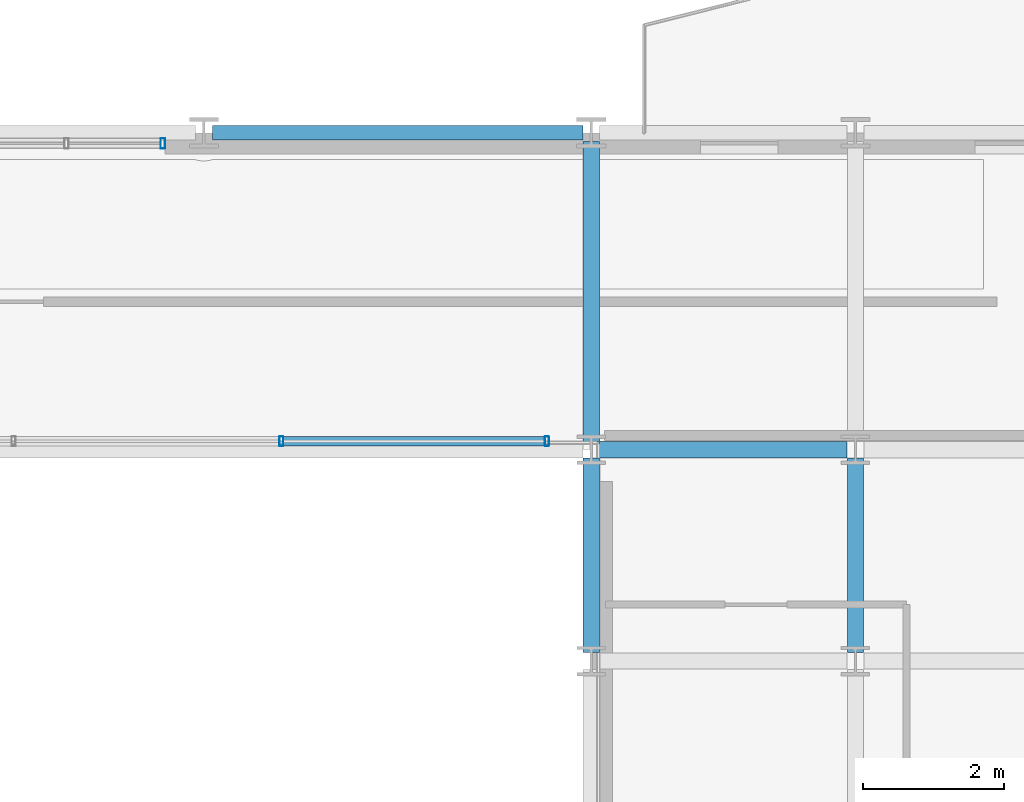
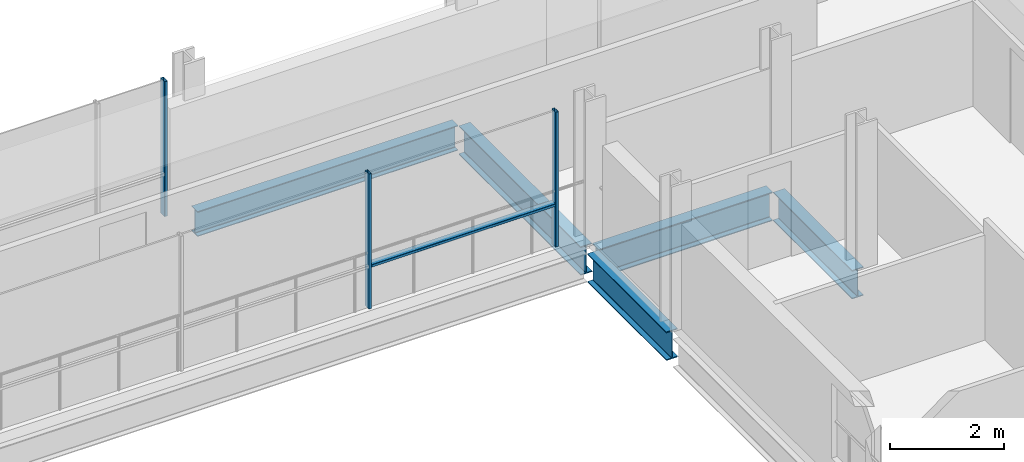
# One storey, part 17 of 39: 5 beams, 4 members, 2 elements without a shape of their own.
"""IFC4 building model written with IfcOpenShell, lengths in metres."""

from ifc_helpers import new_model, si_unit, direction, frame, origin, origin_2d, place, context, subcontext, project, spatial, hollow_rectangle, i_section, extrude, material, layer, layer_set, material_profile, profile_set, type_object, element, aggregate, save


model = new_model("IFC4")

# Units and contexts
model_context = context("Model", 3, precision=1e-05, world=origin(), true_north=direction((0.0, 1.0)))
body_context = subcontext(model_context, "Body", "Model", "MODEL_VIEW")
ifc_project = project(units=[si_unit("LENGTHUNIT", "METRE"), si_unit("AREAUNIT", "SQUARE_METRE"), si_unit("VOLUMEUNIT", "CUBIC_METRE"), si_unit("PLANEANGLEUNIT", "RADIAN"), si_unit("MASSUNIT", "GRAM", prefix="KILO")], contexts=[model_context])

# Site, building, storey
site_placement = place(None, origin())
site = spatial("IfcSite", under=ifc_project, at=site_placement, CompositionType="ELEMENT")
building_placement = place(site_placement, origin())
building = spatial("IfcBuilding", under=site, at=building_placement, Name="Brevholm Reach", CompositionType="ELEMENT")
storey_placement = place(building_placement, frame((0.0, 0.0, 115.89990234375)))
storey = spatial("IfcBuildingStorey", under=building, at=storey_placement, Name="L34", CompositionType="ELEMENT", Elevation=115.89990234375)

# Beams
ifc_material_1 = material(Name="Structural Steel S355J2", Category="steel")
ifc_material_profile_1 = material_profile(ifc_material_1, i_section(OverallWidth=0.209228515625, OverallDepth=0.533203125, WebThickness=0.010009765625, FlangeThickness=0.015625, FilletRadius=0.0126953125, at=origin_2d()), Name="UKB 533x210x92")
ifc_profile_set_1 = profile_set([ifc_material_profile_1], Name="Structural Steel S355J2")
beam_type_1 = type_object("IfcBeamType", Name="BM-SP533", PredefinedType="SPANDREL", material=ifc_profile_set_1)
beam_1_placement = place(storey_placement, frame((32.8701171875, 31.0, -0.486572265625), z_axis=(1.0, 0.0, 0.0), x_axis=(0.0, 1.0, 0.0)))
element("IfcBeam", 1, at=beam_1_placement, inside=storey, type_object=beam_type_1, Name="L34 SP-02 Framing Beam", PredefinedType="SPANDREL", context=body_context, shape_type="SweptSolid", body=[
    extrude(i_section(OverallWidth=0.209228515625, OverallDepth=0.533203125, WebThickness=0.010009765625, FlangeThickness=0.015625, FilletRadius=0.0126953125, at=origin_2d()), origin(), (0.0, 0.0, 1.0), 5.259765625),
])
ifc_material_2 = material(Name="Structural Steel S355J2", Category="steel")
ifc_material_profile_2 = material_profile(ifc_material_2, i_section(OverallWidth=0.22900390625, OverallDepth=0.6123046875, WebThickness=0.011962890625, FlangeThickness=0.01953125, FilletRadius=0.0126953125, at=origin_2d()), Name="UKB 610x229x125")
ifc_profile_set_2 = profile_set([ifc_material_profile_2], Name="Structural Steel S355J2")
beam_type_2 = type_object("IfcBeamType", Name="BM-SP610", PredefinedType="SPANDREL", material=ifc_profile_set_2)
beam_2_placement = place(storey_placement, frame((38.3701171875, 26.5, -0.526123046875), z_axis=(1.0, 0.0, 0.0), x_axis=(0.0, 1.0, 0.0)))
element("IfcBeam", 2, at=beam_2_placement, inside=storey, type_object=beam_type_2, Name="L34 SP-01 Framing Beam", PredefinedType="SPANDREL", context=body_context, shape_type="SweptSolid", body=[
    extrude(i_section(OverallWidth=0.22900390625, OverallDepth=0.6123046875, WebThickness=0.011962890625, FlangeThickness=0.01953125, FilletRadius=0.0126953125, at=origin_2d()), origin(), (0.0, 0.0, 1.0), 3.509765625),
])
beam_3_placement = place(storey_placement, frame((38.25, 23.6201171875, -0.526123046875), z_axis=(0.0, 1.0, 0.0), x_axis=(-1.0, 0.0, 0.0)))
element("IfcBeam", 3, at=beam_3_placement, inside=storey, type_object=beam_type_2, Name="L34 SP-01 Framing Beam", PredefinedType="SPANDREL", context=body_context, shape_type="SweptSolid", body=[
    extrude(i_section(OverallWidth=0.22900390625, OverallDepth=0.6123046875, WebThickness=0.011962890625, FlangeThickness=0.01953125, FilletRadius=0.0126953125, at=origin_2d()), origin(), (0.0, 0.0, 1.0), 2.759765625),
])
beam_4_placement = place(storey_placement, frame((38.25, 26.6201171875, -0.526123046875), z_axis=(0.0, 1.0, 0.0), x_axis=(-1.0, 0.0, 0.0)))
element("IfcBeam", 4, at=beam_4_placement, inside=storey, type_object=beam_type_2, Name="L34 SP-01 Framing Beam", PredefinedType="SPANDREL", context=body_context, shape_type="SweptSolid", body=[
    extrude(i_section(OverallWidth=0.22900390625, OverallDepth=0.6123046875, WebThickness=0.011962890625, FlangeThickness=0.01953125, FilletRadius=0.0126953125, at=origin_2d()), origin(), (0.0, 0.0, 1.0), 4.259765625),
])
beam_5_placement = place(storey_placement, frame((42.0, 23.6201171875, -0.526123046875), z_axis=(0.0, 1.0, 0.0), x_axis=(-1.0, 0.0, 0.0)))
element("IfcBeam", 5, at=beam_5_placement, inside=storey, type_object=beam_type_2, Name="L34 SP-01 Framing Beam", PredefinedType="SPANDREL", context=body_context, shape_type="SweptSolid", body=[
    extrude(i_section(OverallWidth=0.22900390625, OverallDepth=0.6123046875, WebThickness=0.011962890625, FlangeThickness=0.01953125, FilletRadius=0.0126953125, at=origin_2d()), origin(), (0.0, 0.0, 1.0), 2.759765625),
])

# Curtain wall, members
ifc_material_3 = material(Name="Dark Anodised Aluminium 6063-T6 and Solar-Control Glass", Category="aluminium")
ifc_layer_1 = layer(ifc_material_3, 0.139892578125)
ifc_layer_set_1 = layer_set([ifc_layer_1], Name="Dark Anodised Aluminium 6063-T6 and Solar-Control Glass")
curtain_wall_type_1 = type_object("IfcCurtainWallType", Name="CW-02", PredefinedType="NOTDEFINED", material=ifc_layer_set_1)
curtain_wall_1_placement = place(storey_placement, origin())
curtain_wall_1 = element("IfcCurtainWall", 6, at=curtain_wall_1_placement, inside=storey, type_object=curtain_wall_type_1, Name="L34 Curtain Wall CW-02", PredefinedType="NOTDEFINED")
ifc_material_4 = material(Name="Dark Anodised Aluminium 6063-T6", Category="aluminium")
ifc_material_profile_3 = material_profile(ifc_material_4, hollow_rectangle(XDim=0.06005859375, YDim=0.139892578125, WallThickness=0.0048828125, InnerFilletRadius=0.0048828125, OuterFilletRadius=0.010009765625, at=origin_2d()), Name="RHS 140x60x5")
ifc_profile_set_3 = profile_set([ifc_material_profile_3], Name="Dark Anodised Aluminium 6063-T6")
member_type_1 = type_object("IfcMemberType", Name="CWM-140", PredefinedType="MULLION", material=ifc_profile_set_3)
member_1_placement = place(storey_placement, frame((37.6201171875, 26.6201171875, 0.0), z_axis=(0.0, 0.0, 1.0), x_axis=(-1.0, 0.0, 0.0)))
member_1 = element("IfcMember", 7, at=member_1_placement, type_object=member_type_1, Name="CM-140 Mullion 1", PredefinedType="MULLION", context=body_context, shape_type="SweptSolid", body=[
    extrude(hollow_rectangle(XDim=0.06005859375, YDim=0.139892578125, WallThickness=0.0048828125, InnerFilletRadius=0.0048828125, OuterFilletRadius=0.010009765625, at=origin_2d()), origin(), (0.0, 0.0, 1.0), 2.880126953125),
])
member_2_placement = place(storey_placement, frame((33.85009765625, 26.6201171875, 0.0), z_axis=(0.0, 0.0, 1.0), x_axis=(-1.0, 0.0, 0.0)))
member_2 = element("IfcMember", 8, at=member_2_placement, type_object=member_type_1, Name="CM-140 Mullion 2", PredefinedType="MULLION", context=body_context, shape_type="SweptSolid", body=[
    extrude(hollow_rectangle(XDim=0.06005859375, YDim=0.139892578125, WallThickness=0.0048828125, InnerFilletRadius=0.0048828125, OuterFilletRadius=0.010009765625, at=origin_2d()), origin(), (0.0, 0.0, 1.0), 2.880126953125),
])

# Curtain wall, member
ifc_material_5 = material(Name="Dark Anodised Aluminium 6063-T6 and Solar-Control Glass", Category="aluminium")
ifc_layer_2 = layer(ifc_material_5, 0.14990234375)
ifc_layer_set_2 = layer_set([ifc_layer_2], Name="Dark Anodised Aluminium 6063-T6 and Solar-Control Glass")
curtain_wall_type_2 = type_object("IfcCurtainWallType", Name="CW-01", PredefinedType="NOTDEFINED", material=ifc_layer_set_2)
curtain_wall_2_placement = place(storey_placement, origin())
curtain_wall_2 = element("IfcCurtainWall", 9, at=curtain_wall_2_placement, inside=storey, type_object=curtain_wall_type_2, Name="L34 Curtain Wall CW-01", PredefinedType="NOTDEFINED")
ifc_material_6 = material(Name="Dark Anodised Aluminium 6063-T6", Category="aluminium")
ifc_material_profile_4 = material_profile(ifc_material_6, hollow_rectangle(XDim=0.06494140625, YDim=0.14990234375, WallThickness=0.0048828125, InnerFilletRadius=0.0048828125, OuterFilletRadius=0.010009765625, at=origin_2d()), Name="RHS 150x65x5")
ifc_profile_set_4 = profile_set([ifc_material_profile_4], Name="Dark Anodised Aluminium 6063-T6")
member_type_2 = type_object("IfcMemberType", Name="CWM-150", PredefinedType="MULLION", material=ifc_profile_set_4)
member_3_placement = place(storey_placement, frame((32.16748046875, 30.85009765625, 0.0), z_axis=(0.0, 0.0, 1.0), x_axis=(1.0, 0.0, 0.0)))
member_3 = element("IfcMember", 10, at=member_3_placement, type_object=member_type_2, Name="CM-150 Mullion 3", PredefinedType="MULLION", context=body_context, shape_type="SweptSolid", body=[
    extrude(hollow_rectangle(XDim=0.06494140625, YDim=0.14990234375, WallThickness=0.0048828125, InnerFilletRadius=0.0048828125, OuterFilletRadius=0.010009765625, at=origin_2d()), origin(), (0.0, 0.0, 1.0), 2.880126953125),
])
aggregate(curtain_wall_2, [member_3])

# Member
ifc_material_7 = material(Name="Dark Anodised Aluminium 6063-T6", Category="aluminium")
ifc_material_profile_5 = material_profile(ifc_material_7, hollow_rectangle(XDim=0.06005859375, YDim=0.139892578125, WallThickness=0.0048828125, InnerFilletRadius=0.0048828125, OuterFilletRadius=0.010009765625, at=origin_2d()), Name="RHS 140x60x5")
ifc_profile_set_5 = profile_set([ifc_material_profile_5], Name="Dark Anodised Aluminium 6063-T6")
member_type_3 = type_object("IfcMemberType", Name="CWT-140", PredefinedType="NOTDEFINED", material=ifc_profile_set_5)
member_4_placement = place(storey_placement, frame((37.590087890625, 26.6201171875, 0.900146484375), z_axis=(-1.0, 0.0, 0.0), x_axis=(0.0, 0.0, 1.0)))
member_4 = element("IfcMember", 11, at=member_4_placement, type_object=member_type_3, Name="CT-140 Transom 1.1", ObjectType="TRANSOM", PredefinedType="USERDEFINED", context=body_context, shape_type="SweptSolid", body=[
    extrude(hollow_rectangle(XDim=0.06005859375, YDim=0.139892578125, WallThickness=0.0048828125, InnerFilletRadius=0.0048828125, OuterFilletRadius=0.010009765625, at=origin_2d()), origin(), (0.0, 0.0, 1.0), 3.710205078125),
])

aggregate(curtain_wall_1, [member_1, member_2, member_4])

save(model, "model.ifc")
